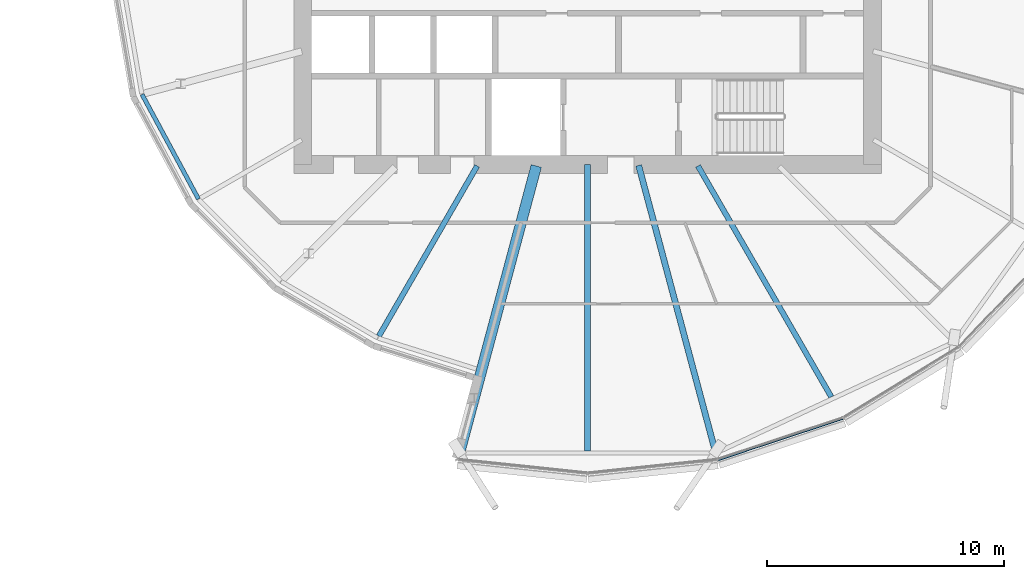
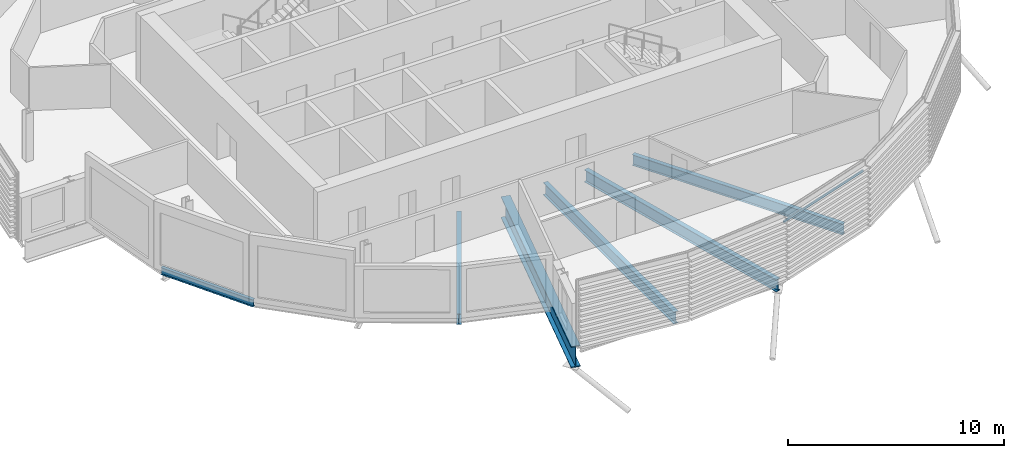
# One storey, part 4 of 39: 6 beams, 1 member, 1 element without a shape of its own.
"""IFC4 building model written with IfcOpenShell, lengths in metres."""

import ifcopenshell
import ifcopenshell.guid

model = None  # the IFC model being written
_history = None  # IfcOwnerHistory: only IFC2X3 demands one
_inside = {}  # id of a spatial element -> (the spatial element, [elements in it])
_under = {}  # id of a project, library or spatial element -> (it, [spatial elements below it])
_declared = {}  # id of a project -> (the project, [libraries it declares])
_typed = {}  # id of a type object -> (the type object, [elements of that type])
_made_of = {}  # id of a material, layer set ... -> (it, [elements and type objects made of it])


def new_model(schema):
    """Start an empty IFC model of exactly this schema.

    Asked for "IFC4X3", IfcOpenShell would pick the latest addendum, in which some entities
    have other attributes; the version numbers below select the first issue.
    IFC2X3 requires an IfcOwnerHistory on every rooted entity: one is made here for all.
    """
    global model, _history
    if schema == "IFC4X3":
        model = ifcopenshell.file(schema_version=(4, 3, 0, 0))
    else:
        model = ifcopenshell.file(schema=schema)
    _inside.clear()
    _under.clear()
    _declared.clear()
    _typed.clear()
    _made_of.clear()
    _history = None
    if model.schema == "IFC2X3":
        org = make("IfcOrganization", Name="unknown")
        user = make(
            "IfcPersonAndOrganization",
            ThePerson=make("IfcPerson", FamilyName="unknown"),
            TheOrganization=org,
        )
        app = make(
            "IfcApplication",
            ApplicationDeveloper=org,
            Version="unknown",
            ApplicationFullName="unknown",
            ApplicationIdentifier="unknown",
        )
        _history = make(
            "IfcOwnerHistory",
            OwningUser=user,
            OwningApplication=app,
            ChangeAction="ADDED",
            CreationDate=0,
        )
    return model


def make(cls, **values):
    """One entity of the class cls with the attributes given. An attribute that is None is left unset."""
    return model.create_entity(
        cls, **{name: value for name, value in values.items() if value is not None}
    )


def rooted(cls, **values):
    """An entity with a GlobalId (a new one), such as an element, a storey or a relation."""
    return make(cls, GlobalId=ifcopenshell.guid.new(), OwnerHistory=_history, **values)


def si_unit(unit_type, name, prefix=None):
    """IfcSIUnit, for example si_unit("LENGTHUNIT", "METRE", prefix="MILLI")."""
    return make("IfcSIUnit", UnitType=unit_type, Prefix=prefix, Name=name)


def assignment(units):
    """IfcUnitAssignment: the units of a project."""
    return None if units is None else make("IfcUnitAssignment", Units=units)


def point(xyz):
    """IfcCartesianPoint."""
    return None if xyz is None else make("IfcCartesianPoint", Coordinates=xyz)


def direction(xyz):
    """IfcDirection."""
    return None if xyz is None else make("IfcDirection", DirectionRatios=xyz)


def frame(location, z_axis=None, x_axis=None):
    """IfcAxis2Placement3D, a coordinate frame: its origin and axes. An axis left out is left unset."""
    return make(
        "IfcAxis2Placement3D",
        Location=point(location),
        Axis=direction(z_axis),
        RefDirection=direction(x_axis),
    )


def frame_2d(location, x_axis=None):
    """IfcAxis2Placement2D, a coordinate frame in the plane: its origin and x axis."""
    return make(
        "IfcAxis2Placement2D", Location=point(location), RefDirection=direction(x_axis)
    )


def origin():
    """The frame at (0, 0, 0) with its axes left unset."""
    return frame((0.0, 0.0, 0.0))


def origin_2d():
    """The frame at (0, 0) in the plane with its x axis left unset."""
    return frame_2d((0.0, 0.0))


def place(relative_to, where):
    """IfcLocalPlacement: puts the frame where relative to a parent placement (None: the world)."""
    return make(
        "IfcLocalPlacement", PlacementRelTo=relative_to, RelativePlacement=where
    )


def context(
    kind, dimensions, precision=None, world=None, true_north=None, identifier=None
):
    """IfcGeometricRepresentationContext, for example the 3D "Model" context."""
    return make(
        "IfcGeometricRepresentationContext",
        ContextIdentifier=identifier,
        ContextType=kind,
        CoordinateSpaceDimension=dimensions,
        Precision=precision,
        WorldCoordinateSystem=world,
        TrueNorth=true_north,
    )


def subcontext(parent, identifier, kind, view, scale=None):
    """IfcGeometricRepresentationSubContext, for example "Body" below "Model"."""
    return make(
        "IfcGeometricRepresentationSubContext",
        ContextIdentifier=identifier,
        ContextType=kind,
        ParentContext=parent,
        TargetScale=scale,
        TargetView=view,
    )


def project(units=None, contexts=None):
    """IfcProject with its units and contexts."""
    return rooted(
        "IfcProject",
        Name="project",
        RepresentationContexts=contexts,
        UnitsInContext=assignment(units),
    )


def spatial(cls, under=None, at=None, **own):
    """A site, building, storey or space (cls), placed at a placement, below another one or the project."""
    s = rooted(cls, ObjectPlacement=at, **own)
    if under is not None:
        _under.setdefault(under.id(), (under, []))[1].append(s)
    return s


def profile(cls, at=None, kind="AREA", **sizes):
    """A parametric profile (cls). Its sizes go by their IFC names, for example OverallWidth=200.0."""
    return make(cls, ProfileType=kind, Position=at, **sizes)


def rectangle(**sizes):
    """IfcRectangleProfileDef."""
    return profile("IfcRectangleProfileDef", **sizes)


def i_section(**sizes):
    """IfcIShapeProfileDef."""
    return profile("IfcIShapeProfileDef", **sizes)


def extrude(swept, where, along, depth):
    """IfcExtrudedAreaSolid: the profile swept, set in the frame where, extruded along a direction by depth."""
    return make(
        "IfcExtrudedAreaSolid",
        SweptArea=swept,
        Position=where,
        ExtrudedDirection=direction(along),
        Depth=depth,
    )


def shape(context_of_items, identifier, shape_type, items):
    """IfcShapeRepresentation: the items that make up one representation, for example the "Body"."""
    return make(
        "IfcShapeRepresentation",
        ContextOfItems=context_of_items,
        RepresentationIdentifier=identifier,
        RepresentationType=shape_type,
        Items=items,
    )


def material(Name=None, Category=None):
    """IfcMaterial."""
    return make("IfcMaterial", Name=Name, Category=Category)


def material_profile(
    of_material, cross_section, Name=None, Category=None, Priority=None
):
    """IfcMaterialProfile: a cross section and its material."""
    return make(
        "IfcMaterialProfile",
        Name=Name,
        Material=of_material,
        Profile=cross_section,
        Priority=Priority,
        Category=Category,
    )


def profile_set(profiles, Name=None, composite=None):
    """IfcMaterialProfileSet."""
    return make(
        "IfcMaterialProfileSet",
        Name=Name,
        MaterialProfiles=profiles,
        CompositeProfile=composite,
    )


def made_of(thing, what):
    """Note that an element or type object is made of a material, layer set ...; save() writes the relation."""
    if what is not None:
        _made_of.setdefault(what.id(), (what, []))[1].append(thing)
    return thing


def type_object(cls, material=None, **own):
    """A type object (cls), such as IfcWallType, which elements share."""
    return made_of(rooted(cls, **own), material)


def element(
    cls,
    number,
    at=None,
    inside=None,
    cuts=None,
    type_object=None,
    material=None,
    context=None,
    identifier="Body",
    shape_type=None,
    held_by="IfcProductDefinitionShape",
    body=None,
    shapes=None,
    **own,
):
    """One element of the class cls, such as IfcWall. Its Tag is "e" and its number.

    at: its placement. inside: the storey or other place that contains it. cuts: it is an
    opening in that element (IfcRelVoidsElement). A single representation is given by context,
    identifier, shape_type and body (its items); several are given by shapes. held_by: the class
    of the entity that holds the representations. save() writes the other relations.
    """
    e = rooted(cls, Tag="e%d" % number, ObjectPlacement=at, **own)
    if body is not None:
        shapes = [shape(context, identifier, shape_type, body)]
    if shapes is not None:
        e.Representation = make(held_by, Representations=shapes)
    if inside is not None:
        _inside.setdefault(inside.id(), (inside, []))[1].append(e)
    if cuts is not None:
        rooted(
            "IfcRelVoidsElement", RelatingBuildingElement=cuts, RelatedOpeningElement=e
        )
    if type_object is not None:
        _typed.setdefault(type_object.id(), (type_object, []))[1].append(e)
    return made_of(e, material)


def aggregate(whole, parts):
    """IfcRelAggregates: a whole, such as a stair, and the parts it consists of."""
    return rooted("IfcRelAggregates", RelatingObject=whole, RelatedObjects=parts)


def save(model, path):
    """Write the relations noted so far, then the file.

    IfcRelAggregates (storeys below a building ...), IfcRelContainedInSpatialStructure (elements
    in a storey), IfcRelDefinesByType, IfcRelAssociatesMaterial and IfcRelDeclares: one each for
    every whole, place, type object, material and project.
    """
    for whole, parts in _under.values():
        aggregate(whole, parts)
    for where, things in _inside.values():
        rooted(
            "IfcRelContainedInSpatialStructure",
            RelatedElements=things,
            RelatingStructure=where,
        )
    for kind, things in _typed.values():
        rooted("IfcRelDefinesByType", RelatedObjects=things, RelatingType=kind)
    for what, things in _made_of.values():
        rooted("IfcRelAssociatesMaterial", RelatedObjects=things, RelatingMaterial=what)
    for by, libraries in _declared.values():
        rooted("IfcRelDeclares", RelatingContext=by, RelatedDefinitions=libraries)
    model.write(path)


model = new_model("IFC4")

# Units and contexts
model_context = context("Model", 3, precision=1e-05, world=origin(), true_north=direction((0.0, 1.0)))
body_context = subcontext(model_context, "Body", "Model", "MODEL_VIEW")
ifc_project = project(units=[si_unit("LENGTHUNIT", "METRE"), si_unit("AREAUNIT", "SQUARE_METRE"), si_unit("VOLUMEUNIT", "CUBIC_METRE"), si_unit("PLANEANGLEUNIT", "RADIAN"), si_unit("MASSUNIT", "GRAM", prefix="KILO")], contexts=[model_context])

# Site, building, storey
site_placement = place(None, origin())
site = spatial("IfcSite", under=ifc_project, at=site_placement, CompositionType="ELEMENT")
building_placement = place(site_placement, origin())
building = spatial("IfcBuilding", under=site, at=building_placement, Name="Rimbun Link Towers", CompositionType="ELEMENT")
storey_placement = place(building_placement, frame((0.0, 0.0, 100.60009765625)))
storey = spatial("IfcBuildingStorey", under=building, at=storey_placement, Name="L24", CompositionType="ELEMENT", Elevation=100.60009765625)

# Curtain wall, member
ifc_material_1 = material(Name="Aluminium 6063-T6 and low-iron glass", Category="aluminium")
curtain_wall_type = type_object("IfcCurtainWallType", Name="CW1-Z2 unitised vision wall (zone 2)", PredefinedType="NOTDEFINED", material=ifc_material_1)
curtain_wall_placement = place(storey_placement, origin())
curtain_wall = element("IfcCurtainWall", 1, at=curtain_wall_placement, inside=storey, type_object=curtain_wall_type, Name="CW1 L24 T1", PredefinedType="NOTDEFINED")
ifc_material_2 = material(Name="Aluminium 6063-T6", Category="aluminium")
ifc_material_profile_1 = material_profile(ifc_material_2, rectangle(XDim=0.06005859375, YDim=0.1201171875, at=origin_2d()), Name="TRANSOM 60X120")
ifc_profile_set_1 = profile_set([ifc_material_profile_1], Name="Aluminium 6063-T6")
member_type = type_object("IfcMemberType", Name="CW1 transom 60X120", PredefinedType="USERDEFINED", material=ifc_profile_set_1)
member_placement = place(storey_placement, frame((-20.9951171875, -18.7099609375, 3.199951171875), z_axis=(-0.949234500962, -0.314569328102, 0.0), x_axis=(0.314569328102, -0.949234500962, 0.0)))
member = element("IfcMember", 2, at=member_placement, type_object=member_type, Name="CW1 transom", ObjectType="TRANSOM", PredefinedType="USERDEFINED", context=body_context, shape_type="SweptSolid", body=[
    extrude(rectangle(XDim=0.06005859375, YDim=0.1201171875, at=origin_2d()), origin(), (0.0, 0.0, 1.0), 5.52197265625),
])
aggregate(curtain_wall, [member])

# Beams
ifc_material_3 = material(Name="Steel S355J2", Category="steel")
ifc_material_profile_2 = material_profile(ifc_material_3, i_section(OverallWidth=0.449951171875, OverallDepth=1.199951171875, WebThickness=0.030029296875, FlangeThickness=0.044921875, at=origin_2d()), Name="PG 1200x450x30/45")
ifc_profile_set_2 = profile_set([ifc_material_profile_2], Name="Steel S355J2")
beam_type_1 = type_object("IfcBeamType", Name="PG 1200x450x30/45", PredefinedType="BEAM", material=ifc_profile_set_2)
beam_1_placement = place(storey_placement, frame((-33.909423828125, -8.05908203125, -0.760009765625), z_axis=(-0.258811435781, -0.965927865168, 0.0), x_axis=(0.965927865168, -0.258811435781, 0.0)))
element("IfcBeam", 3, at=beam_1_placement, inside=storey, type_object=beam_type_1, Name="Radial beam T1 L24 17", PredefinedType="BEAM", context=body_context, shape_type="SweptSolid", body=[
    extrude(i_section(OverallWidth=0.449951171875, OverallDepth=1.199951171875, WebThickness=0.030029296875, FlangeThickness=0.044921875, at=origin_2d()), origin(), (0.0, 0.0, 1.0), 12.5244140625),
])
ifc_material_4 = material(Name="Steel S355J2", Category="steel")
ifc_material_profile_3 = material_profile(ifc_material_4, i_section(OverallWidth=0.177978515625, OverallDepth=0.406494140625, WebThickness=0.0078125, FlangeThickness=0.0126953125, at=origin_2d()), Name="UB 406x178x60")
ifc_profile_set_3 = profile_set([ifc_material_profile_3], Name="Steel S355J2")
beam_type_2 = type_object("IfcBeamType", Name="UB 406x178x60", PredefinedType="BEAM", material=ifc_profile_set_3)
beam_2_placement = place(storey_placement, frame((-50.52001953125, -5.045166015625, -0.36328125), z_axis=(0.474885218183, -0.880047742768, 0.0), x_axis=(0.880047742768, 0.474885218183, 0.0)))
element("IfcBeam", 4, at=beam_2_placement, inside=storey, type_object=beam_type_2, Name="Edge beam T1 L24 13 recess", PredefinedType="BEAM", context=body_context, shape_type="SweptSolid", body=[
    extrude(i_section(OverallWidth=0.177978515625, OverallDepth=0.406494140625, WebThickness=0.0078125, FlangeThickness=0.0126953125, at=origin_2d()), origin(), (0.0, 0.0, 1.0), 5.003662109375),
])
ifc_material_5 = material(Name="Steel S355J2", Category="steel")
ifc_material_profile_4 = material_profile(ifc_material_5, i_section(OverallWidth=0.2275390625, OverallDepth=0.6025390625, WebThickness=0.010498046875, FlangeThickness=0.014892578125, at=origin_2d()), Name="UB 610x229x101")
ifc_profile_set_4 = profile_set([ifc_material_profile_4], Name="Steel S355J2")
beam_type_3 = type_object("IfcBeamType", Name="UB 610x229x101", PredefinedType="BEAM", material=ifc_profile_set_4)
beam_3_placement = place(storey_placement, frame((-36.402099609375, -8.057861328125, -0.46142578125), z_axis=(-0.500008344384, -0.866020586098, 0.0), x_axis=(0.866020586098, -0.500008344384, 0.0)))
element("IfcBeam", 5, at=beam_3_placement, inside=storey, type_object=beam_type_3, Name="Radial beam T1 L24 16", PredefinedType="BEAM", context=body_context, shape_type="SweptSolid", body=[
    extrude(i_section(OverallWidth=0.2275390625, OverallDepth=0.6025390625, WebThickness=0.010498046875, FlangeThickness=0.014892578125, at=origin_2d()), origin(), (0.0, 0.0, 1.0), 8.279052734375),
])
beam_4_placement = place(storey_placement, frame((-27.097900390625, -8.057861328125, -0.46142578125), z_axis=(0.50001148964, -0.866018770136, 0.0), x_axis=(0.866018770136, 0.50001148964, 0.0)))
element("IfcBeam", 6, at=beam_4_placement, inside=storey, type_object=beam_type_3, Name="Radial beam T1 L24 20", PredefinedType="BEAM", context=body_context, shape_type="SweptSolid", body=[
    extrude(i_section(OverallWidth=0.2275390625, OverallDepth=0.6025390625, WebThickness=0.010498046875, FlangeThickness=0.014892578125, at=origin_2d()), origin(), (0.0, 0.0, 1.0), 11.235595703125),
])
ifc_material_6 = material(Name="Steel S355J2", Category="steel")
ifc_material_profile_5 = material_profile(ifc_material_6, i_section(OverallWidth=0.253662109375, OverallDepth=0.68359375, WebThickness=0.012451171875, FlangeThickness=0.01904296875, at=origin_2d()), Name="UB 686x254x140")
ifc_profile_set_5 = profile_set([ifc_material_profile_5], Name="Steel S355J2")
beam_type_4 = type_object("IfcBeamType", Name="UB 686x254x140", PredefinedType="BEAM", material=ifc_profile_set_5)
beam_5_placement = place(storey_placement, frame((-31.75, -8.0009765625, -0.501953125), z_axis=(0.0, -1.0, 0.0), x_axis=(1.0, 0.0, 0.0)))
element("IfcBeam", 7, at=beam_5_placement, inside=storey, type_object=beam_type_4, Name="Radial beam T1 L24 18", PredefinedType="BEAM", context=body_context, shape_type="SweptSolid", body=[
    extrude(i_section(OverallWidth=0.253662109375, OverallDepth=0.68359375, WebThickness=0.012451171875, FlangeThickness=0.01904296875, at=origin_2d()), origin(), (0.0, 0.0, 1.0), 12.06591796875),
])
beam_6_placement = place(storey_placement, frame((-29.597412109375, -8.03369140625, -0.501953125), z_axis=(0.258813870741, -0.96592721274, 0.0), x_axis=(0.96592721274, 0.258813870741, 0.0)))
element("IfcBeam", 8, at=beam_6_placement, inside=storey, type_object=beam_type_4, Name="Radial beam T1 L24 19", PredefinedType="BEAM", context=body_context, shape_type="SweptSolid", body=[
    extrude(i_section(OverallWidth=0.253662109375, OverallDepth=0.68359375, WebThickness=0.012451171875, FlangeThickness=0.01904296875, at=origin_2d()), origin(), (0.0, 0.0, 1.0), 12.55078125),
])

save(model, "model.ifc")
